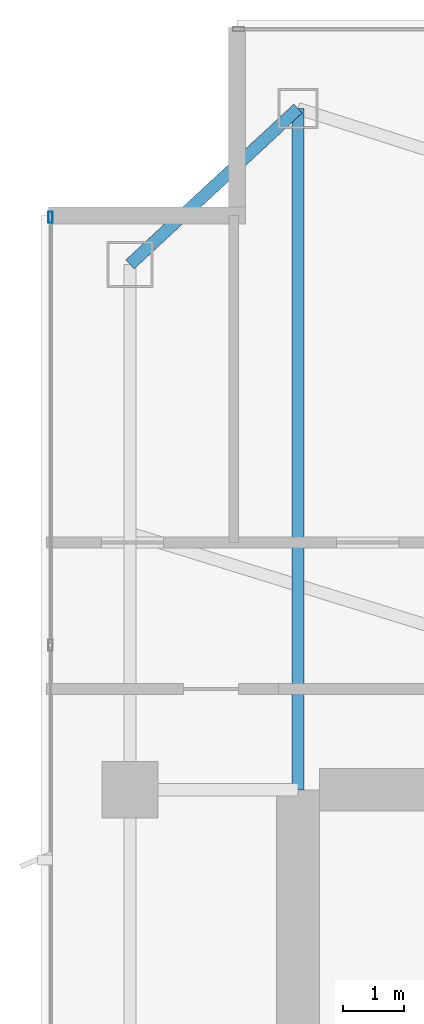
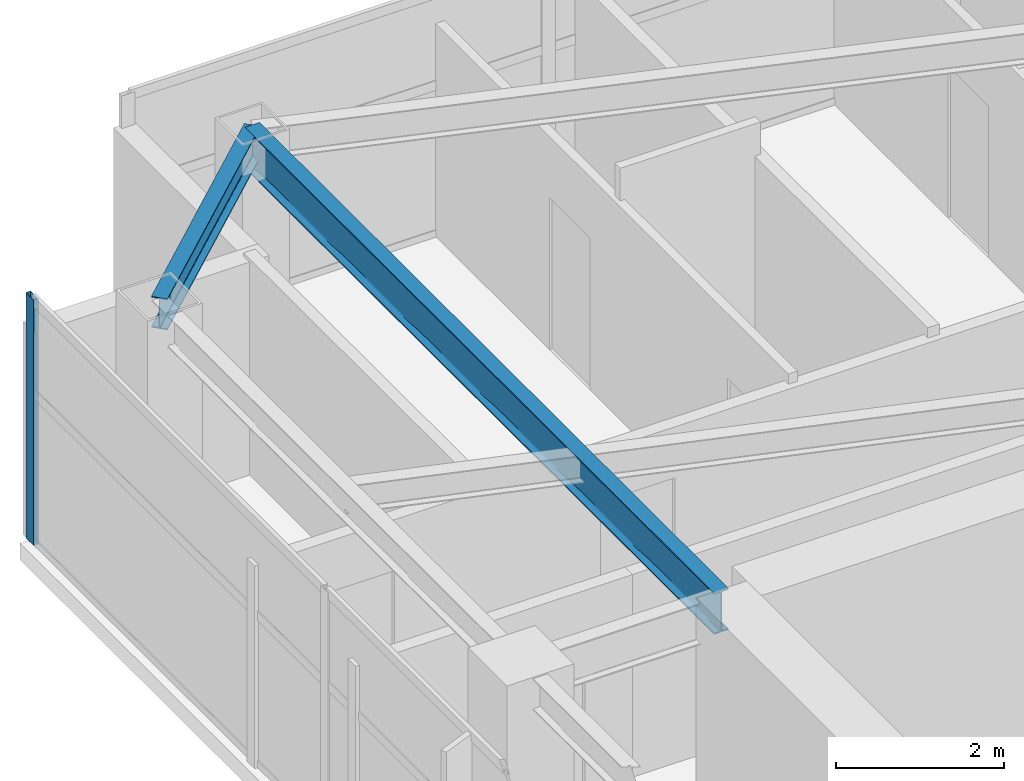
# One storey, part 16 of 27: 2 beams, 1 member, 1 element without a shape of its own.
"""IFC4 building model written with IfcOpenShell, lengths in metres."""

from ifc_helpers import new_model, si_unit, direction, frame, origin, origin_2d, place, context, subcontext, project, spatial, hollow_rectangle, i_section, extrude, material, layer, layer_set, material_profile, profile_set, type_object, element, aggregate, save


model = new_model("IFC4")

# Units and contexts
model_context = context("Model", 3, precision=1e-05, world=origin(), true_north=direction((0.0, 1.0)))
body_context = subcontext(model_context, "Body", "Model", "MODEL_VIEW")
ifc_project = project(units=[si_unit("LENGTHUNIT", "METRE"), si_unit("AREAUNIT", "SQUARE_METRE"), si_unit("VOLUMEUNIT", "CUBIC_METRE"), si_unit("PLANEANGLEUNIT", "RADIAN"), si_unit("MASSUNIT", "GRAM", prefix="KILO")], contexts=[model_context])

# Site, building, storey
site_placement = place(None, origin())
site = spatial("IfcSite", under=ifc_project, at=site_placement, CompositionType="ELEMENT")
building_placement = place(site_placement, origin())
building = spatial("IfcBuilding", under=site, at=building_placement, Name="Calvorn Quay Hotel", CompositionType="ELEMENT")
storey_placement = place(building_placement, frame((0.0, 0.0, 223.10009765625)))
storey = spatial("IfcBuildingStorey", under=building, at=storey_placement, Name="L55", CompositionType="ELEMENT", Elevation=223.10009765625)

# Beams
ifc_material_1 = material(Name="Steel Q355B", Category="steel")
ifc_material_profile_1 = material_profile(ifc_material_1, i_section(OverallWidth=0.199951171875, OverallDepth=0.60009765625, WebThickness=0.010986328125, FlangeThickness=0.01708984375, FilletRadius=0.01806640625, at=origin_2d()), Name="HN600x200x11x17")
ifc_profile_set_1 = profile_set([ifc_material_profile_1], Name="Steel Q355B")
beam_type_1 = type_object("IfcBeamType", Name="BM-GIRD-TYP", PredefinedType="BEAM", material=ifc_profile_set_1)
beam_1_placement = place(storey_placement, frame((4.199951171875, 49.550048828125, 3.239990234375), z_axis=(0.0, -1.0, 0.0), x_axis=(1.0, 0.0, 0.0)))
element("IfcBeam", 1, at=beam_1_placement, inside=storey, type_object=beam_type_1, Name="Beam BG-L55-W5", PredefinedType="BEAM", context=body_context, shape_type="SweptSolid", body=[
    extrude(i_section(OverallWidth=0.199951171875, OverallDepth=0.60009765625, WebThickness=0.010986328125, FlangeThickness=0.01708984375, FilletRadius=0.01806640625, at=origin_2d()), origin(), (0.0, 0.0, 1.0), 11.150146484375),
])
ifc_material_2 = material(Name="Steel Q355B", Category="steel")
ifc_material_profile_2 = material_profile(ifc_material_2, i_section(OverallWidth=0.199951171875, OverallDepth=0.449951171875, WebThickness=0.009033203125, FlangeThickness=0.013916015625, FilletRadius=0.01611328125, at=origin_2d()), Name="HN450x200x9x14")
ifc_profile_set_2 = profile_set([ifc_material_profile_2], Name="Steel Q355B")
beam_type_2 = type_object("IfcBeamType", Name="BM-SPANDREL-Z3", PredefinedType="SPANDREL", material=ifc_profile_set_2)
beam_2_placement = place(storey_placement, frame((1.449951171875, 47.0, 3.31494140625), z_axis=(0.733261665538, 0.679946563969, 0.0), x_axis=(-0.679946563969, 0.733261665538, 0.0)))
element("IfcBeam", 2, at=beam_2_placement, inside=storey, type_object=beam_type_2, Name="Beam BSP-L55-W5", PredefinedType="SPANDREL", context=body_context, shape_type="SweptSolid", body=[
    extrude(i_section(OverallWidth=0.199951171875, OverallDepth=0.449951171875, WebThickness=0.009033203125, FlangeThickness=0.013916015625, FilletRadius=0.01611328125, at=origin_2d()), origin(), (0.0, 0.0, 1.0), 3.75048828125),
])

# Curtain wall, member
ifc_material_3 = material(Name="Champagne Bronze Anodised Aluminium and Low-E Glass", Category="aluminium")
ifc_layer = layer(ifc_material_3, 0.219970703125)
ifc_layer_set = layer_set([ifc_layer], Name="CW-SYS-Z3")
curtain_wall_type = type_object("IfcCurtainWallType", Name="CW-SYS-Z3", PredefinedType="NOTDEFINED", material=ifc_layer_set)
curtain_wall_placement = place(storey_placement, origin())
curtain_wall = element("IfcCurtainWall", 3, at=curtain_wall_placement, inside=storey, type_object=curtain_wall_type, Name="Tower West Curtain Wall (L55)", PredefinedType="NOTDEFINED")
ifc_material_4 = material(Name="Champagne Bronze Anodised Aluminium 6063-T6", Category="aluminium")
ifc_material_profile_3 = material_profile(ifc_material_4, hollow_rectangle(XDim=0.068115234375, YDim=0.18505859375, WallThickness=0.00390625, at=origin_2d()), Name="ALU-M185x68x4")
ifc_profile_set_3 = profile_set([ifc_material_profile_3], Name="Champagne Bronze Anodised Aluminium 6063-T6")
member_type = type_object("IfcMemberType", Name="CW-SYS-Z3-MUL", PredefinedType="MULLION", material=ifc_profile_set_3)
member_placement = place(storey_placement, frame((0.14990234375, 47.77001953125, 0.0), z_axis=(0.0, 0.0, 1.0), x_axis=(-1.0, 0.0, 0.0)))
member = element("IfcMember", 4, at=member_placement, type_object=member_type, Name="CW-L55-W mullion 7", PredefinedType="MULLION", context=body_context, shape_type="SweptSolid", body=[
    extrude(hollow_rectangle(XDim=0.068115234375, YDim=0.18505859375, WallThickness=0.00390625, at=origin_2d()), origin(), (0.0, 0.0, 1.0), 3.559814453125),
])
aggregate(curtain_wall, [member])

save(model, "model.ifc")
